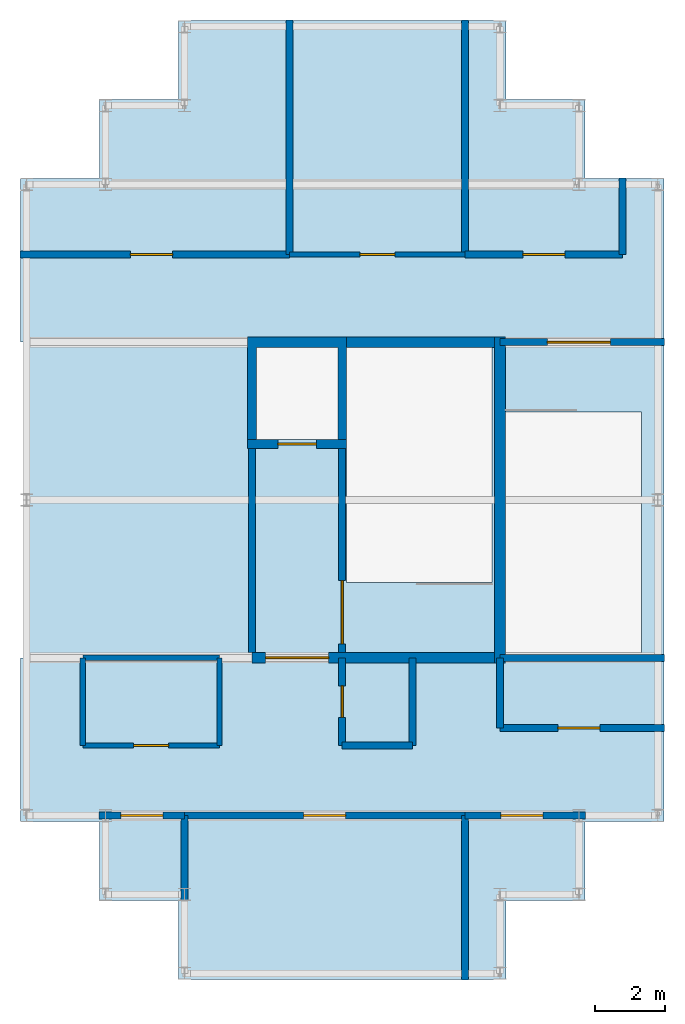
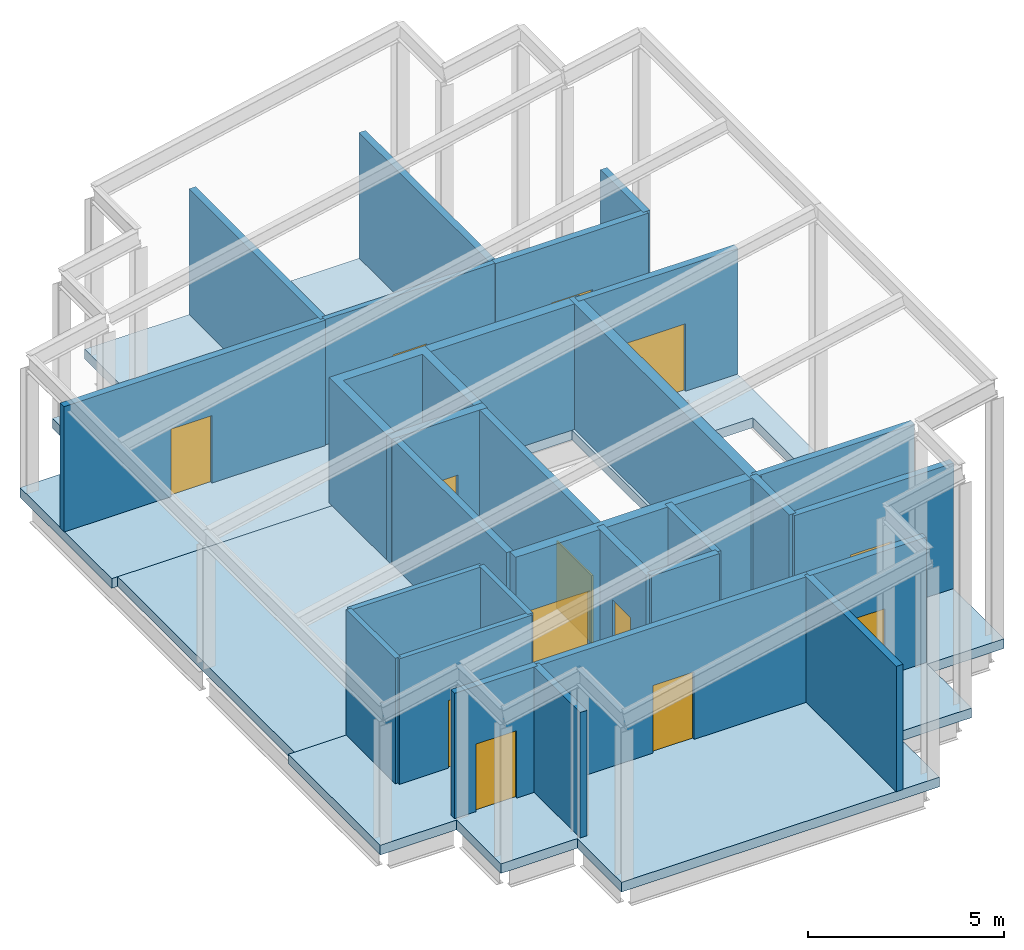
# One storey, part 2 of 4: 29 walls, 13 doors, 2 slabs, 13 openings.
"""IFC4 building model written with IfcOpenShell, lengths in metres."""

from ifc_helpers import new_model, si_unit, direction, frame, frame_2d, origin, place, context, subcontext, project, spatial, polyline, rectangle, outline, extrude, material, layer, layer_set, type_object, element, fill, save


model = new_model("IFC4")

# Units and contexts
model_context = context("Model", 3, precision=1e-05, world=origin(), true_north=direction((0.0, 1.0)))
body_context = subcontext(model_context, "Body", "Model", "MODEL_VIEW")
ifc_project = project(units=[si_unit("LENGTHUNIT", "METRE"), si_unit("AREAUNIT", "SQUARE_METRE"), si_unit("VOLUMEUNIT", "CUBIC_METRE"), si_unit("PLANEANGLEUNIT", "RADIAN"), si_unit("MASSUNIT", "GRAM", prefix="KILO")], contexts=[model_context])

# Site, building, storey
site_placement = place(None, origin())
site = spatial("IfcSite", under=ifc_project, at=site_placement, CompositionType="ELEMENT")
building_placement = place(site_placement, origin())
building = spatial("IfcBuilding", under=site, at=building_placement, Name="Caravel Reach Hotel and Residences", CompositionType="ELEMENT")
storey_placement = place(building_placement, frame((0.0, 0.0, 329.60009765625)))
storey = spatial("IfcBuildingStorey", under=building, at=storey_placement, Name="L83", CompositionType="ELEMENT", Elevation=329.60009765625)

# Slabs
ifc_material_1 = material(Name="Concrete C40", Category="concrete")
ifc_layer_1 = layer(ifc_material_1, 0.300048828125)
ifc_layer_set_1 = layer_set([ifc_layer_1], Name="Core floor slab 300 mm")
slab_type_1 = type_object("IfcSlabType", Name="Core floor slab 300 mm", PredefinedType="FLOOR", material=ifc_layer_set_1)
slab_1_placement = place(storey_placement, frame((0.0, 0.0, -0.300048828125)))
element("IfcSlab", 1, at=slab_1_placement, inside=storey, type_object=slab_type_1, Name="L83 core floor", PredefinedType="FLOOR", context=body_context, shape_type="SweptSolid", body=[
    extrude(outline(polyline([(45.0, 22.5), (31.5, 22.5), (31.5, 31.5), (45.0, 31.5), (45.0, 22.5)]), holes=[polyline([(44.77490234375, 24.64990234375), (44.77490234375, 31.35009765625), (40.625, 31.35009765625), (40.625, 24.64990234375), (44.77490234375, 24.64990234375)]), polyline([(40.375, 28.72509765625), (40.375, 31.35009765625), (38.0537109375, 31.35009765625), (38.0537109375, 28.72509765625), (40.375, 28.72509765625)])]), origin(), (0.0, 0.0, 1.0), 0.300048828125),
])
ifc_material_2 = material(Name="Concrete C40 post-tensioned", Category="concrete")
ifc_layer_2 = layer(ifc_material_2, 0.300048828125)
ifc_layer_set_2 = layer_set([ifc_layer_2], Name="Floor slab 300")
slab_type_2 = type_object("IfcSlabType", Name="Floor slab 300", PredefinedType="FLOOR", material=ifc_layer_set_2)
slab_2_placement = place(storey_placement, frame((0.0, 0.0, -0.300048828125)))
element("IfcSlab", 2, at=slab_2_placement, inside=storey, type_object=slab_type_2, Name="S2 slab L83", PredefinedType="FLOOR", context=body_context, shape_type="SweptSolid", body=[
    extrude(outline(polyline([(33.574951171875, 15.574951171875), (33.574951171875, 17.824951171875), (31.324951171875, 17.824951171875), (31.324951171875, 22.5), (45.0, 22.5), (45.0, 31.5), (31.324951171875, 31.5), (31.324951171875, 36.175048828125), (33.574951171875, 36.175048828125), (33.574951171875, 38.425048828125), (35.824951171875, 38.425048828125), (35.824951171875, 40.675048828125), (45.175048828125, 40.675048828125), (45.175048828125, 38.425048828125), (47.425048828125, 38.425048828125), (47.425048828125, 36.175048828125), (49.675048828125, 36.175048828125), (49.675048828125, 17.824951171875), (47.425048828125, 17.824951171875), (47.425048828125, 15.574951171875), (45.175048828125, 15.574951171875), (45.175048828125, 13.324951171875), (35.824951171875, 13.324951171875), (35.824951171875, 15.574951171875), (33.574951171875, 15.574951171875)]), holes=[polyline([(45.159912109375, 22.6201171875), (49.0400390625, 22.6201171875), (49.0400390625, 29.514892578125), (45.159912109375, 29.514892578125), (45.159912109375, 22.6201171875)])]), origin(), (0.0, 0.0, 1.0), 0.300048828125),
])

# Wall, opening, door
ifc_material_3 = material(Name="Autoclaved aerated block wall")
ifc_layer_3 = layer(ifc_material_3, 0.199951171875)
ifc_layer_set_3 = layer_set([ifc_layer_3], Name="Compartment wall 200 mm EI 120")
wall_type_1 = type_object("IfcWallType", Name="Compartment wall 200 mm EI 120", PredefinedType="PARTITIONING", material=ifc_layer_set_3)
wall_1_placement = place(storey_placement, frame((33.56005859375, 18.0, 0.0), z_axis=(0.0, 0.0, 1.0), x_axis=(1.0, 0.0, 0.0)))
wall_1 = element("IfcWall", 3, at=wall_1_placement, inside=storey, type_object=wall_type_1, Name="L83 wall w006", PredefinedType="PARTITIONING", context=body_context, shape_type="SweptSolid", body=[
    extrude(rectangle(XDim=2.43994140625, YDim=0.199951171875, at=frame_2d((1.219970703125, 0.0))), origin(), (0.0, 0.0, 1.0), 3.89990234375),
])
opening_1_placement = place(wall_1_placement, frame((0.625, 0.0, 0.0)))
opening_1 = element("IfcOpeningElement", 4, at=opening_1_placement, cuts=wall_1, Name="Opening D83-006", PredefinedType="OPENING", context=body_context, shape_type="SweptSolid", body=[
    extrude(rectangle(XDim=1.199951171875, YDim=2.10009765625, at=frame_2d((0.60009765625, 1.050048828125))), frame((0.0, 0.10986328125, 0.0), z_axis=(0.0, -1.0, 0.0), x_axis=(1.0, 0.0, 0.0)), (0.0, 0.0, 1.0), 0.219970703125),
])
ifc_material_4 = material(Name="Steel fire door leaf", Category="steel")
door_type_1 = type_object("IfcDoorType", Name="Plant room door 1200 x 2100 EI 60", OperationType="SINGLE_SWING_LEFT", PredefinedType="DOOR", material=ifc_material_4)
door_1_placement = place(opening_1_placement, origin())
door_1 = element("IfcDoor", 5, at=door_1_placement, inside=storey, type_object=door_type_1, Name="door D83-006", OperationType="SINGLE_SWING_RIGHT", OverallHeight=2.10009765625, OverallWidth=1.199951171875, PredefinedType="DOOR", context=body_context, shape_type="SweptSolid", body=[
    extrude(rectangle(XDim=1.199951171875, YDim=2.10009765625, at=frame_2d((0.60009765625, 1.050048828125))), frame((0.0, 0.02490234375, 0.0), z_axis=(0.0, -1.0, 0.0), x_axis=(1.0, 0.0, 0.0)), (0.0, 0.0, 1.0), 0.050048828125),
])
fill(opening_1, door_1)

wall_2_placement = place(storey_placement, frame((36.0, 18.0, 0.0), z_axis=(0.0, 0.0, 1.0), x_axis=(1.0, 0.0, 0.0)))
wall_2 = element("IfcWall", 6, at=wall_2_placement, inside=storey, type_object=wall_type_1, Name="L83 wall w007", PredefinedType="PARTITIONING", context=body_context, shape_type="SweptSolid", body=[
    extrude(rectangle(XDim=8.0, YDim=0.199951171875, at=frame_2d((4.0, 0.0))), origin(), (0.0, 0.0, 1.0), 3.89990234375),
])
opening_2_placement = place(wall_2_placement, frame((3.39990234375, 0.0, 0.0)))
opening_2 = element("IfcOpeningElement", 7, at=opening_2_placement, cuts=wall_2, Name="Opening D83-007", PredefinedType="OPENING", context=body_context, shape_type="SweptSolid", body=[
    extrude(rectangle(XDim=1.199951171875, YDim=2.10009765625, at=frame_2d((0.60009765625, 1.050048828125))), frame((0.0, 0.10986328125, 0.0), z_axis=(0.0, -1.0, 0.0), x_axis=(1.0, 0.0, 0.0)), (0.0, 0.0, 1.0), 0.219970703125),
])
door_2_placement = place(opening_2_placement, origin())
door_2 = element("IfcDoor", 8, at=door_2_placement, inside=storey, type_object=door_type_1, Name="door D83-007", OperationType="SINGLE_SWING_LEFT", OverallHeight=2.10009765625, OverallWidth=1.199951171875, PredefinedType="DOOR", context=body_context, shape_type="SweptSolid", body=[
    extrude(rectangle(XDim=1.199951171875, YDim=2.10009765625, at=frame_2d((0.60009765625, 1.050048828125))), frame((0.0, 0.02490234375, 0.0), z_axis=(0.0, -1.0, 0.0), x_axis=(1.0, 0.0, 0.0)), (0.0, 0.0, 1.0), 0.050048828125),
])
fill(opening_2, door_2)

wall_3_placement = place(storey_placement, frame((44.0, 18.0, 0.0), z_axis=(0.0, 0.0, 1.0), x_axis=(1.0, 0.0, 0.0)))
wall_3 = element("IfcWall", 9, at=wall_3_placement, inside=storey, type_object=wall_type_1, Name="L83 wall w008", PredefinedType="PARTITIONING", context=body_context, shape_type="SweptSolid", body=[
    extrude(rectangle(XDim=3.43994140625, YDim=0.199951171875, at=frame_2d((1.719970703125, 0.0))), origin(), (0.0, 0.0, 1.0), 3.89990234375),
])
opening_3_placement = place(wall_3_placement, frame((1.02490234375, 0.0, 0.0)))
opening_3 = element("IfcOpeningElement", 10, at=opening_3_placement, cuts=wall_3, Name="Opening D83-008", PredefinedType="OPENING", context=body_context, shape_type="SweptSolid", body=[
    extrude(rectangle(XDim=1.199951171875, YDim=2.10009765625, at=frame_2d((0.60009765625, 1.050048828125))), frame((0.0, 0.10986328125, 0.0), z_axis=(0.0, -1.0, 0.0), x_axis=(1.0, 0.0, 0.0)), (0.0, 0.0, 1.0), 0.219970703125),
])
door_3_placement = place(opening_3_placement, origin())
door_3 = element("IfcDoor", 11, at=door_3_placement, inside=storey, type_object=door_type_1, Name="door D83-008", OperationType="SINGLE_SWING_RIGHT", OverallHeight=2.10009765625, OverallWidth=1.199951171875, PredefinedType="DOOR", context=body_context, shape_type="SweptSolid", body=[
    extrude(rectangle(XDim=1.199951171875, YDim=2.10009765625, at=frame_2d((0.60009765625, 1.050048828125))), frame((0.0, 0.02490234375, 0.0), z_axis=(0.0, -1.0, 0.0), x_axis=(1.0, 0.0, 0.0)), (0.0, 0.0, 1.0), 0.050048828125),
])
fill(opening_3, door_3)

# Wall
wall_4_placement = place(storey_placement, frame((40.5, 20.0, 0.0), z_axis=(0.0, 0.0, 1.0), x_axis=(1.0, 0.0, 0.0)))
element("IfcWall", 12, at=wall_4_placement, inside=storey, type_object=wall_type_1, Name="L83 wall w009", PredefinedType="PARTITIONING", context=body_context, shape_type="SweptSolid", body=[
    extrude(rectangle(XDim=2.0, YDim=0.199951171875, at=frame_2d((1.0, 0.0))), origin(), (0.0, 0.0, 1.0), 3.89990234375),
])

# Wall, opening, door
wall_5_placement = place(storey_placement, frame((45.0, 20.5, 0.0), z_axis=(0.0, 0.0, 1.0), x_axis=(1.0, 0.0, 0.0)))
wall_5 = element("IfcWall", 13, at=wall_5_placement, inside=storey, type_object=wall_type_1, Name="L83 wall w010", PredefinedType="PARTITIONING", context=body_context, shape_type="SweptSolid", body=[
    extrude(rectangle(XDim=4.68994140625, YDim=0.199951171875, at=frame_2d((2.344970703125, 0.0))), origin(), (0.0, 0.0, 1.0), 3.89990234375),
])
opening_4_placement = place(wall_5_placement, frame((1.64990234375, 0.0, 0.0)))
opening_4 = element("IfcOpeningElement", 14, at=opening_4_placement, cuts=wall_5, Name="Opening D83-009", PredefinedType="OPENING", context=body_context, shape_type="SweptSolid", body=[
    extrude(rectangle(XDim=1.199951171875, YDim=2.10009765625, at=frame_2d((0.60009765625, 1.050048828125))), frame((0.0, 0.10986328125, 0.0), z_axis=(0.0, -1.0, 0.0), x_axis=(1.0, 0.0, 0.0)), (0.0, 0.0, 1.0), 0.219970703125),
])
door_4_placement = place(opening_4_placement, origin())
door_4 = element("IfcDoor", 15, at=door_4_placement, inside=storey, type_object=door_type_1, Name="door D83-009", OperationType="SINGLE_SWING_RIGHT", OverallHeight=2.10009765625, OverallWidth=1.199951171875, PredefinedType="DOOR", context=body_context, shape_type="SweptSolid", body=[
    extrude(rectangle(XDim=1.199951171875, YDim=2.10009765625, at=frame_2d((0.60009765625, 1.050048828125))), frame((0.0, 0.02490234375, 0.0), z_axis=(0.0, -1.0, 0.0), x_axis=(1.0, 0.0, 0.0)), (0.0, 0.0, 1.0), 0.050048828125),
])
fill(opening_4, door_4)

wall_6_placement = place(storey_placement, frame((31.31005859375, 34.0, 0.0), z_axis=(0.0, 0.0, 1.0), x_axis=(1.0, 0.0, 0.0)))
wall_6 = element("IfcWall", 16, at=wall_6_placement, inside=storey, type_object=wall_type_1, Name="L83 wall w011", PredefinedType="PARTITIONING", context=body_context, shape_type="SweptSolid", body=[
    extrude(rectangle(XDim=7.68994140625, YDim=0.199951171875, at=frame_2d((3.844970703125, 0.0))), origin(), (0.0, 0.0, 1.0), 3.89990234375),
])
opening_5_placement = place(wall_6_placement, frame((3.14990234375, 0.0, 0.0)))
opening_5 = element("IfcOpeningElement", 17, at=opening_5_placement, cuts=wall_6, Name="Opening D83-011", PredefinedType="OPENING", context=body_context, shape_type="SweptSolid", body=[
    extrude(rectangle(XDim=1.199951171875, YDim=2.10009765625, at=frame_2d((0.60009765625, 1.050048828125))), frame((0.0, 0.10986328125, 0.0), z_axis=(0.0, -1.0, 0.0), x_axis=(1.0, 0.0, 0.0)), (0.0, 0.0, 1.0), 0.219970703125),
])
door_5_placement = place(opening_5_placement, origin())
door_5 = element("IfcDoor", 18, at=door_5_placement, inside=storey, type_object=door_type_1, Name="door D83-011", OperationType="SINGLE_SWING_LEFT", OverallHeight=2.10009765625, OverallWidth=1.199951171875, PredefinedType="DOOR", context=body_context, shape_type="SweptSolid", body=[
    extrude(rectangle(XDim=1.199951171875, YDim=2.10009765625, at=frame_2d((0.60009765625, 1.050048828125))), frame((0.0, 0.02490234375, 0.0), z_axis=(0.0, -1.0, 0.0), x_axis=(1.0, 0.0, 0.0)), (0.0, 0.0, 1.0), 0.050048828125),
])
fill(opening_5, door_5)

wall_7_placement = place(storey_placement, frame((44.0, 34.0, 0.0), z_axis=(0.0, 0.0, 1.0), x_axis=(1.0, 0.0, 0.0)))
wall_7 = element("IfcWall", 19, at=wall_7_placement, inside=storey, type_object=wall_type_1, Name="L83 wall w012", PredefinedType="PARTITIONING", context=body_context, shape_type="SweptSolid", body=[
    extrude(rectangle(XDim=4.5, YDim=0.199951171875, at=frame_2d((2.25, 0.0))), origin(), (0.0, 0.0, 1.0), 3.89990234375),
])
opening_6_placement = place(wall_7_placement, frame((1.64990234375, 0.0, 0.0)))
opening_6 = element("IfcOpeningElement", 20, at=opening_6_placement, cuts=wall_7, Name="Opening D83-013", PredefinedType="OPENING", context=body_context, shape_type="SweptSolid", body=[
    extrude(rectangle(XDim=1.199951171875, YDim=2.10009765625, at=frame_2d((0.60009765625, 1.050048828125))), frame((0.0, 0.10986328125, 0.0), z_axis=(0.0, -1.0, 0.0), x_axis=(1.0, 0.0, 0.0)), (0.0, 0.0, 1.0), 0.219970703125),
])
door_6_placement = place(opening_6_placement, origin())
door_6 = element("IfcDoor", 21, at=door_6_placement, inside=storey, type_object=door_type_1, Name="door D83-013", OperationType="SINGLE_SWING_LEFT", OverallHeight=2.10009765625, OverallWidth=1.199951171875, PredefinedType="DOOR", context=body_context, shape_type="SweptSolid", body=[
    extrude(rectangle(XDim=1.199951171875, YDim=2.10009765625, at=frame_2d((0.60009765625, 1.050048828125))), frame((0.0, 0.02490234375, 0.0), z_axis=(0.0, -1.0, 0.0), x_axis=(1.0, 0.0, 0.0)), (0.0, 0.0, 1.0), 0.050048828125),
])
fill(opening_6, door_6)

# Walls
wall_8_placement = place(storey_placement, frame((36.0, 15.56005859375, 0.0), z_axis=(0.0, 0.0, 1.0), x_axis=(0.0, 1.0, 0.0)))
element("IfcWall", 22, at=wall_8_placement, inside=storey, type_object=wall_type_1, Name="L83 wall w013", PredefinedType="PARTITIONING", context=body_context, shape_type="SweptSolid", body=[
    extrude(rectangle(XDim=2.43994140625, YDim=0.199951171875, at=frame_2d((1.219970703125, 0.0))), origin(), (0.0, 0.0, 1.0), 3.89990234375),
])
wall_9_placement = place(storey_placement, frame((39.0, 34.0, 0.0), z_axis=(0.0, 0.0, 1.0), x_axis=(0.0, 1.0, 0.0)))
element("IfcWall", 23, at=wall_9_placement, inside=storey, type_object=wall_type_1, Name="L83 wall w014", PredefinedType="PARTITIONING", context=body_context, shape_type="SweptSolid", body=[
    extrude(rectangle(XDim=6.68994140625, YDim=0.199951171875, at=frame_2d((3.344970703125, 0.0))), origin(), (0.0, 0.0, 1.0), 3.89990234375),
])

# Wall, opening, door
wall_10_placement = place(storey_placement, frame((40.5, 20.0, 0.0), z_axis=(0.0, 0.0, 1.0), x_axis=(0.0, 1.0, 0.0)))
wall_10 = element("IfcWall", 24, at=wall_10_placement, inside=storey, type_object=wall_type_1, Name="L83 wall w015", PredefinedType="PARTITIONING", context=body_context, shape_type="SweptSolid", body=[
    extrude(rectangle(XDim=2.5, YDim=0.199951171875, at=frame_2d((1.25, 0.0))), origin(), (0.0, 0.0, 1.0), 3.89990234375),
])
opening_7_placement = place(wall_10_placement, frame((0.800048828125, 0.0, 0.0)))
opening_7 = element("IfcOpeningElement", 25, at=opening_7_placement, cuts=wall_10, Name="Opening D83-005", PredefinedType="OPENING", context=body_context, shape_type="SweptSolid", body=[
    extrude(rectangle(XDim=0.89990234375, YDim=2.10009765625, at=frame_2d((0.449951171875, 1.050048828125))), frame((0.0, 0.10986328125, 0.0), z_axis=(0.0, -1.0, 0.0), x_axis=(1.0, 0.0, 0.0)), (0.0, 0.0, 1.0), 0.219970703125),
])
ifc_material_5 = material(Name="Steel fire door leaf", Category="steel")
door_type_2 = type_object("IfcDoorType", Name="Riser door 900 x 2100 EI 60", OperationType="SINGLE_SWING_LEFT", PredefinedType="DOOR", material=ifc_material_5)
door_7_placement = place(opening_7_placement, origin())
door_7 = element("IfcDoor", 26, at=door_7_placement, inside=storey, type_object=door_type_2, Name="door D83-005", OperationType="SINGLE_SWING_LEFT", OverallHeight=2.10009765625, OverallWidth=0.89990234375, PredefinedType="DOOR", context=body_context, shape_type="SweptSolid", body=[
    extrude(rectangle(XDim=0.89990234375, YDim=2.10009765625, at=frame_2d((0.449951171875, 1.050048828125))), frame((0.0, 0.02490234375, 0.0), z_axis=(0.0, -1.0, 0.0), x_axis=(1.0, 0.0, 0.0)), (0.0, 0.0, 1.0), 0.050048828125),
])
fill(opening_7, door_7)

# Walls
wall_11_placement = place(storey_placement, frame((42.5, 20.0, 0.0), z_axis=(0.0, 0.0, 1.0), x_axis=(0.0, 1.0, 0.0)))
element("IfcWall", 27, at=wall_11_placement, inside=storey, type_object=wall_type_1, Name="L83 wall w016", PredefinedType="PARTITIONING", context=body_context, shape_type="SweptSolid", body=[
    extrude(rectangle(XDim=2.5, YDim=0.199951171875, at=frame_2d((1.25, 0.0))), origin(), (0.0, 0.0, 1.0), 3.89990234375),
])
wall_12_placement = place(storey_placement, frame((44.0, 13.31005859375, 0.0), z_axis=(0.0, 0.0, 1.0), x_axis=(0.0, 1.0, 0.0)))
element("IfcWall", 28, at=wall_12_placement, inside=storey, type_object=wall_type_1, Name="L83 wall w017", PredefinedType="PARTITIONING", context=body_context, shape_type="SweptSolid", body=[
    extrude(rectangle(XDim=4.68994140625, YDim=0.199951171875, at=frame_2d((2.344970703125, 0.0))), origin(), (0.0, 0.0, 1.0), 3.89990234375),
])
wall_13_placement = place(storey_placement, frame((44.0, 34.0, 0.0), z_axis=(0.0, 0.0, 1.0), x_axis=(0.0, 1.0, 0.0)))
element("IfcWall", 29, at=wall_13_placement, inside=storey, type_object=wall_type_1, Name="L83 wall w018", PredefinedType="PARTITIONING", context=body_context, shape_type="SweptSolid", body=[
    extrude(rectangle(XDim=6.68994140625, YDim=0.199951171875, at=frame_2d((3.344970703125, 0.0))), origin(), (0.0, 0.0, 1.0), 3.89990234375),
])
wall_14_placement = place(storey_placement, frame((45.0, 20.5, 0.0), z_axis=(0.0, 0.0, 1.0), x_axis=(0.0, 1.0, 0.0)))
element("IfcWall", 30, at=wall_14_placement, inside=storey, type_object=wall_type_1, Name="L83 wall w019", PredefinedType="PARTITIONING", context=body_context, shape_type="SweptSolid", body=[
    extrude(rectangle(XDim=2.0, YDim=0.199951171875, at=frame_2d((1.0, 0.0))), origin(), (0.0, 0.0, 1.0), 3.89990234375),
])
wall_15_placement = place(storey_placement, frame((48.5, 34.0, 0.0), z_axis=(0.0, 0.0, 1.0), x_axis=(0.0, 1.0, 0.0)))
element("IfcWall", 31, at=wall_15_placement, inside=storey, type_object=wall_type_1, Name="L83 wall w020", PredefinedType="PARTITIONING", context=body_context, shape_type="SweptSolid", body=[
    extrude(rectangle(XDim=2.18994140625, YDim=0.199951171875, at=frame_2d((1.094970703125, 0.0))), origin(), (0.0, 0.0, 1.0), 3.89990234375),
])

# Wall, opening, door
ifc_material_6 = material(Name="Concrete C60", Category="concrete")
ifc_layer_4 = layer(ifc_material_6, 0.300048828125)
ifc_layer_set_4 = layer_set([ifc_layer_4], Name="Core wall 300 mm EI 120")
wall_type_2 = type_object("IfcWallType", Name="Core wall 300 mm EI 120", PredefinedType="SHEAR", material=ifc_layer_set_4)
wall_16_placement = place(storey_placement, frame((37.928466796875, 22.5, 0.0), z_axis=(0.0, 0.0, 1.0), x_axis=(1.0, 0.0, 0.0)))
wall_16 = element("IfcWall", 32, at=wall_16_placement, inside=storey, type_object=wall_type_2, Name="L83 core wall S1", PredefinedType="SHEAR", context=body_context, shape_type="SweptSolid", body=[
    extrude(rectangle(XDim=6.921630859375, YDim=0.300048828125, at=frame_2d((3.4609375, 0.0))), origin(), (0.0, 0.0, 1.0), 3.89990234375),
])
opening_8_placement = place(wall_16_placement, frame((0.3857421875, 0.0, 0.0)))
opening_8 = element("IfcOpeningElement", 33, at=opening_8_placement, cuts=wall_16, Name="Opening D83-003", PredefinedType="OPENING", context=body_context, shape_type="SweptSolid", body=[
    extrude(rectangle(XDim=1.800048828125, YDim=2.10009765625, at=frame_2d((0.89990234375, 1.050048828125))), frame((0.0, 0.159912109375, 0.0), z_axis=(0.0, -1.0, 0.0), x_axis=(1.0, 0.0, 0.0)), (0.0, 0.0, 1.0), 0.320068359375),
])
ifc_material_7 = material(Name="Steel fire door leaf", Category="steel")
door_type_3 = type_object("IfcDoorType", Name="Fire lobby door pair 1800 x 2100 EI 90", OperationType="DOUBLE_DOOR_SINGLE_SWING", PredefinedType="DOOR", material=ifc_material_7)
door_8_placement = place(opening_8_placement, origin())
door_8 = element("IfcDoor", 34, at=door_8_placement, inside=storey, type_object=door_type_3, Name="lobby S door pair to corridor", OperationType="DOUBLE_DOOR_SINGLE_SWING", OverallHeight=2.10009765625, OverallWidth=1.800048828125, PredefinedType="DOOR", context=body_context, shape_type="SweptSolid", body=[
    extrude(rectangle(XDim=1.800048828125, YDim=2.10009765625, at=frame_2d((0.89990234375, 1.050048828125))), frame((0.0, 0.02490234375, 0.0), z_axis=(0.0, -1.0, 0.0), x_axis=(1.0, 0.0, 0.0)), (0.0, 0.0, 1.0), 0.050048828125),
])
fill(opening_8, door_8)

# Walls
wall_17_placement = place(storey_placement, frame((40.625, 31.5, 0.0), z_axis=(0.0, 0.0, 1.0), x_axis=(1.0, 0.0, 0.0)))
element("IfcWall", 35, at=wall_17_placement, inside=storey, type_object=wall_type_2, Name="L83 core wall N1", PredefinedType="SHEAR", context=body_context, shape_type="SweptSolid", body=[
    extrude(rectangle(XDim=4.22509765625, YDim=0.300048828125, at=frame_2d((2.112548828125, 0.0))), origin(), (0.0, 0.0, 1.0), 3.89990234375),
])
wall_18_placement = place(storey_placement, frame((45.0, 22.35009765625, 0.0), z_axis=(0.0, 0.0, 1.0), x_axis=(0.0, 1.0, 0.0)))
element("IfcWall", 36, at=wall_18_placement, inside=storey, type_object=wall_type_2, Name="L83 core wall E", PredefinedType="SHEAR", context=body_context, shape_type="SweptSolid", body=[
    extrude(rectangle(XDim=9.2998046875, YDim=0.300048828125, at=frame_2d((4.64990234375, 0.0))), origin(), (0.0, 0.0, 1.0), 3.89990234375),
])

# Wall, opening, door
ifc_material_8 = material(Name="Gypsum board on steel stud, fire-rated", Category="steel")
ifc_layer_5 = layer(ifc_material_8, 0.14990234375)
ifc_layer_set_5 = layer_set([ifc_layer_5], Name="Corridor wall 150 mm EI 60")
wall_type_3 = type_object("IfcWallType", Name="Corridor wall 150 mm EI 60", PredefinedType="PARTITIONING", material=ifc_layer_set_5)
wall_19_placement = place(storey_placement, frame((33.10009765625, 20.0, 0.0), z_axis=(0.0, 0.0, 1.0), x_axis=(1.0, 0.0, 0.0)))
wall_19 = element("IfcWall", 37, at=wall_19_placement, inside=storey, type_object=wall_type_3, Name="L83 wall w001", PredefinedType="PARTITIONING", context=body_context, shape_type="SweptSolid", body=[
    extrude(rectangle(XDim=3.89990234375, YDim=0.14990234375, at=frame_2d((1.949951171875, 0.0))), origin(), (0.0, 0.0, 1.0), 3.89990234375),
])
opening_9_placement = place(wall_19_placement, frame((1.449951171875, 0.0, 0.0)))
opening_9 = element("IfcOpeningElement", 38, at=opening_9_placement, cuts=wall_19, Name="Opening D83-010", PredefinedType="OPENING", context=body_context, shape_type="SweptSolid", body=[
    extrude(rectangle(XDim=1.0, YDim=2.10009765625, at=frame_2d((0.5, 1.050048828125))), frame((0.0, 0.0849609375, 0.0), z_axis=(0.0, -1.0, 0.0), x_axis=(1.0, 0.0, 0.0)), (0.0, 0.0, 1.0), 0.169921875),
])
ifc_material_9 = material(Name="Steel fire door leaf", Category="steel")
door_type_4 = type_object("IfcDoorType", Name="Fire door 1000 x 2100 EI 60", OperationType="SINGLE_SWING_LEFT", PredefinedType="DOOR", material=ifc_material_9)
door_9_placement = place(opening_9_placement, origin())
door_9 = element("IfcDoor", 39, at=door_9_placement, inside=storey, type_object=door_type_4, Name="door D83-010", OperationType="SINGLE_SWING_LEFT", OverallHeight=2.10009765625, OverallWidth=1.0, PredefinedType="DOOR", context=body_context, shape_type="SweptSolid", body=[
    extrude(rectangle(XDim=1.0, YDim=2.10009765625, at=frame_2d((0.5, 1.050048828125))), frame((0.0, 0.02490234375, 0.0), z_axis=(0.0, -1.0, 0.0), x_axis=(1.0, 0.0, 0.0)), (0.0, 0.0, 1.0), 0.050048828125),
])
fill(opening_9, door_9)

# Wall
wall_20_placement = place(storey_placement, frame((33.10009765625, 22.5, 0.0), z_axis=(0.0, 0.0, 1.0), x_axis=(1.0, 0.0, 0.0)))
element("IfcWall", 40, at=wall_20_placement, inside=storey, type_object=wall_type_3, Name="L83 wall w002", PredefinedType="PARTITIONING", context=body_context, shape_type="SweptSolid", body=[
    extrude(rectangle(XDim=3.89990234375, YDim=0.14990234375, at=frame_2d((1.949951171875, 0.0))), origin(), (0.0, 0.0, 1.0), 3.89990234375),
])

# Wall, opening, door
wall_21_placement = place(storey_placement, frame((39.0, 34.0, 0.0), z_axis=(0.0, 0.0, 1.0), x_axis=(1.0, 0.0, 0.0)))
wall_21 = element("IfcWall", 41, at=wall_21_placement, inside=storey, type_object=wall_type_3, Name="L83 wall w003", PredefinedType="PARTITIONING", context=body_context, shape_type="SweptSolid", body=[
    extrude(rectangle(XDim=5.0, YDim=0.14990234375, at=frame_2d((2.5, 0.0))), origin(), (0.0, 0.0, 1.0), 3.89990234375),
])
opening_10_placement = place(wall_21_placement, frame((2.0, 0.0, 0.0)))
opening_10 = element("IfcOpeningElement", 42, at=opening_10_placement, cuts=wall_21, Name="Opening D83-012", PredefinedType="OPENING", context=body_context, shape_type="SweptSolid", body=[
    extrude(rectangle(XDim=1.0, YDim=2.10009765625, at=frame_2d((0.5, 1.050048828125))), frame((0.0, 0.0849609375, 0.0), z_axis=(0.0, -1.0, 0.0), x_axis=(1.0, 0.0, 0.0)), (0.0, 0.0, 1.0), 0.169921875),
])
door_10_placement = place(opening_10_placement, origin())
door_10 = element("IfcDoor", 43, at=door_10_placement, inside=storey, type_object=door_type_4, Name="door D83-012", OperationType="SINGLE_SWING_LEFT", OverallHeight=2.10009765625, OverallWidth=1.0, PredefinedType="DOOR", context=body_context, shape_type="SweptSolid", body=[
    extrude(rectangle(XDim=1.0, YDim=2.10009765625, at=frame_2d((0.5, 1.050048828125))), frame((0.0, 0.02490234375, 0.0), z_axis=(0.0, -1.0, 0.0), x_axis=(1.0, 0.0, 0.0)), (0.0, 0.0, 1.0), 0.050048828125),
])
fill(opening_10, door_10)

# Walls
for number, where, z_axis, x_axis, name in (
    (44, (33.10009765625, 20.0, 0.0), (0.0, 0.0, 1.0), (0.0, 1.0, 0.0), "L83 wall w004"),
    (45, (37.0, 20.0, 0.0), (0.0, 0.0, 1.0), (0.0, 1.0, 0.0), "L83 wall w005"),
):
    element("IfcWall", number, at=place(storey_placement, frame(where, z_axis=z_axis, x_axis=x_axis)), inside=storey, type_object=wall_type_3, Name=name, PredefinedType="PARTITIONING", context=body_context, shape_type="SweptSolid", body=[
        extrude(rectangle(XDim=2.5, YDim=0.14990234375, at=frame_2d((1.25, 0.0))), origin(), (0.0, 0.0, 1.0), 3.89990234375),
    ])
ifc_material_10 = material(Name="Autoclaved aerated block wall")
ifc_layer_6 = layer(ifc_material_10, 0.199951171875)
ifc_layer_set_6 = layer_set([ifc_layer_6], Name="Fire lobby wall 200 mm EI 120")
wall_type_4 = type_object("IfcWallType", Name="Fire lobby wall 200 mm EI 120", PredefinedType="PARTITIONING", material=ifc_layer_set_6)
wall_22_placement = place(storey_placement, frame((37.928466796875, 22.64990234375, 0.0), z_axis=(0.0, 0.0, 1.0), x_axis=(0.0, 1.0, 0.0)))
element("IfcWall", 46, at=wall_22_placement, inside=storey, type_object=wall_type_4, Name="L83 lobby E closing wall", PredefinedType="PARTITIONING", context=body_context, shape_type="SweptSolid", body=[
    extrude(rectangle(XDim=5.8251953125, YDim=0.199951171875, at=frame_2d((2.91259765625, 0.0))), origin(), (0.0, 0.0, 1.0), 3.89990234375),
])
ifc_material_11 = material(Name="Concrete C60", Category="concrete")
ifc_layer_7 = layer(ifc_material_11, 0.25)
ifc_layer_set_7 = layer_set([ifc_layer_7], Name="Shaft wall 250 mm EI 120")
wall_type_5 = type_object("IfcWallType", Name="Shaft wall 250 mm EI 120", PredefinedType="SHEAR", material=ifc_layer_set_7)
wall_23_placement = place(storey_placement, origin())
element("IfcWall", 47, at=wall_23_placement, inside=storey, type_object=wall_type_5, Name="L83 lift shaft wall N1", PredefinedType="SHEAR", context=body_context, shape_type="SweptSolid", body=[
    extrude(outline(polyline([(37.803466796875, 28.72509765625), (38.053466796875, 28.72509765625), (38.053466796875, 31.35009765625), (40.375, 31.35009765625), (40.375, 28.72509765625), (40.625, 28.72509765625), (40.625, 31.64990234375), (37.803466796875, 31.64990234375), (37.803466796875, 28.72509765625)])), origin(), (0.0, 0.0, 1.0), 3.89990234375),
])

# Wall, opening, door
wall_24_placement = place(storey_placement, frame((37.803466796875, 28.60009765625, 0.0), z_axis=(0.0, 0.0, 1.0), x_axis=(1.0, 0.0, 0.0)))
wall_24 = element("IfcWall", 48, at=wall_24_placement, inside=storey, type_object=wall_type_5, Name="L83 lobby wall N1", PredefinedType="SHEAR", context=body_context, shape_type="SweptSolid", body=[
    extrude(rectangle(XDim=2.821533203125, YDim=0.25, at=frame_2d((1.41064453125, 0.0))), origin(), (0.0, 0.0, 1.0), 3.89990234375),
])
opening_11_placement = place(wall_24_placement, frame((0.860595703125, 0.0, 0.0)))
opening_11 = element("IfcOpeningElement", 49, at=opening_11_placement, cuts=wall_24, Name="Opening D83-001", PredefinedType="OPENING", context=body_context, shape_type="SweptSolid", body=[
    extrude(rectangle(XDim=1.10009765625, YDim=2.10009765625, at=frame_2d((0.550048828125, 1.050048828125))), frame((0.0, 0.135009765625, 0.0), z_axis=(0.0, -1.0, 0.0), x_axis=(1.0, 0.0, 0.0)), (0.0, 0.0, 1.0), 0.27001953125),
])
ifc_material_12 = material(Name="Stainless steel landing door", Category="steel")
door_type_5 = type_object("IfcDoorType", Name="Landing door LD 1100 x 2100 sliding", OperationType="DOUBLE_DOOR_SLIDING", PredefinedType="DOOR", material=ifc_material_12)
door_11_placement = place(opening_11_placement, origin())
door_11 = element("IfcDoor", 50, at=door_11_placement, inside=storey, type_object=door_type_5, Name="FL2 landing door", OperationType="DOUBLE_DOOR_SLIDING", OverallHeight=2.10009765625, OverallWidth=1.10009765625, PredefinedType="DOOR", context=body_context, shape_type="SweptSolid", body=[
    extrude(rectangle(XDim=1.10009765625, YDim=2.10009765625, at=frame_2d((0.550048828125, 1.050048828125))), frame((0.0, 0.02490234375, 0.0), z_axis=(0.0, -1.0, 0.0), x_axis=(1.0, 0.0, 0.0)), (0.0, 0.0, 1.0), 0.050048828125),
])
fill(opening_11, door_11)

ifc_material_13 = material(Name="Concrete C60", Category="concrete")
ifc_layer_8 = layer(ifc_material_13, 0.199951171875)
ifc_layer_set_8 = layer_set([ifc_layer_8], Name="Stair enclosure wall 200 mm EI 120")
wall_type_6 = type_object("IfcWallType", Name="Stair enclosure wall 200 mm EI 120", PredefinedType="SHEAR", material=ifc_layer_set_8)
wall_25_placement = place(storey_placement, frame((40.5, 22.64990234375, 0.0), z_axis=(0.0, 0.0, 1.0), x_axis=(0.0, 1.0, 0.0)))
wall_25 = element("IfcWall", 51, at=wall_25_placement, inside=storey, type_object=wall_type_6, Name="L83 stair B wall", PredefinedType="SHEAR", context=body_context, shape_type="SweptSolid", body=[
    extrude(rectangle(XDim=5.8251953125, YDim=0.199951171875, at=frame_2d((2.91259765625, 0.0))), origin(), (0.0, 0.0, 1.0), 3.89990234375),
])
opening_12_placement = place(wall_25_placement, frame((0.25, 0.0, 0.0)))
opening_12 = element("IfcOpeningElement", 52, at=opening_12_placement, cuts=wall_25, Name="Opening D83-002", PredefinedType="OPENING", context=body_context, shape_type="SweptSolid", body=[
    extrude(rectangle(XDim=1.800048828125, YDim=2.10009765625, at=frame_2d((0.89990234375, 1.050048828125))), frame((0.0, 0.10986328125, 0.0), z_axis=(0.0, -1.0, 0.0), x_axis=(1.0, 0.0, 0.0)), (0.0, 0.0, 1.0), 0.219970703125),
])
ifc_material_14 = material(Name="Steel fire door leaf", Category="steel")
door_type_6 = type_object("IfcDoorType", Name="Stair door pair 1800 x 2100 EI 90", OperationType="DOUBLE_DOOR_SINGLE_SWING", PredefinedType="DOOR", material=ifc_material_14)
door_12_placement = place(opening_12_placement, origin())
door_12 = element("IfcDoor", 53, at=door_12_placement, inside=storey, type_object=door_type_6, Name="stair B door pair", OperationType="DOUBLE_DOOR_SINGLE_SWING", OverallHeight=2.10009765625, OverallWidth=1.800048828125, PredefinedType="DOOR", context=body_context, shape_type="SweptSolid", body=[
    extrude(rectangle(XDim=1.800048828125, YDim=2.10009765625, at=frame_2d((0.89990234375, 1.050048828125))), frame((0.0, 0.02490234375, 0.0), z_axis=(0.0, -1.0, 0.0), x_axis=(1.0, 0.0, 0.0)), (0.0, 0.0, 1.0), 0.050048828125),
])
fill(opening_12, door_12)

# Wall
wall_26_placement = place(storey_placement, frame((45.0, 22.5, 0.0), z_axis=(0.0, 0.0, 1.0), x_axis=(1.0, 0.0, 0.0)))
element("IfcWall", 54, at=wall_26_placement, inside=storey, type_object=wall_type_6, Name="L83 wall w021", PredefinedType="SHEAR", context=body_context, shape_type="SweptSolid", body=[
    extrude(rectangle(XDim=4.68994140625, YDim=0.199951171875, at=frame_2d((2.344970703125, 0.0))), origin(), (0.0, 0.0, 1.0), 3.89990234375),
])

# Wall, opening, door
wall_27_placement = place(storey_placement, frame((45.0, 31.5, 0.0), z_axis=(0.0, 0.0, 1.0), x_axis=(1.0, 0.0, 0.0)))
wall_27 = element("IfcWall", 55, at=wall_27_placement, inside=storey, type_object=wall_type_6, Name="L83 wall w022", PredefinedType="SHEAR", context=body_context, shape_type="SweptSolid", body=[
    extrude(rectangle(XDim=4.68994140625, YDim=0.199951171875, at=frame_2d((2.344970703125, 0.0))), origin(), (0.0, 0.0, 1.0), 3.89990234375),
])
opening_13_placement = place(wall_27_placement, frame((1.35009765625, 0.0, 0.0)))
opening_13 = element("IfcOpeningElement", 56, at=opening_13_placement, cuts=wall_27, Name="Opening D83-004", PredefinedType="OPENING", context=body_context, shape_type="SweptSolid", body=[
    extrude(rectangle(XDim=1.800048828125, YDim=2.10009765625, at=frame_2d((0.89990234375, 1.050048828125))), frame((0.0, 0.10986328125, 0.0), z_axis=(0.0, -1.0, 0.0), x_axis=(1.0, 0.0, 0.0)), (0.0, 0.0, 1.0), 0.219970703125),
])
door_13_placement = place(opening_13_placement, origin())
door_13 = element("IfcDoor", 57, at=door_13_placement, inside=storey, type_object=door_type_6, Name="door D83-004", OperationType="DOUBLE_DOOR_SINGLE_SWING", OverallHeight=2.10009765625, OverallWidth=1.800048828125, PredefinedType="DOOR", context=body_context, shape_type="SweptSolid", body=[
    extrude(rectangle(XDim=1.800048828125, YDim=2.10009765625, at=frame_2d((0.89990234375, 1.050048828125))), frame((0.0, 0.02490234375, 0.0), z_axis=(0.0, -1.0, 0.0), x_axis=(1.0, 0.0, 0.0)), (0.0, 0.0, 1.0), 0.050048828125),
])
fill(opening_13, door_13)

save(model, "model.ifc")
